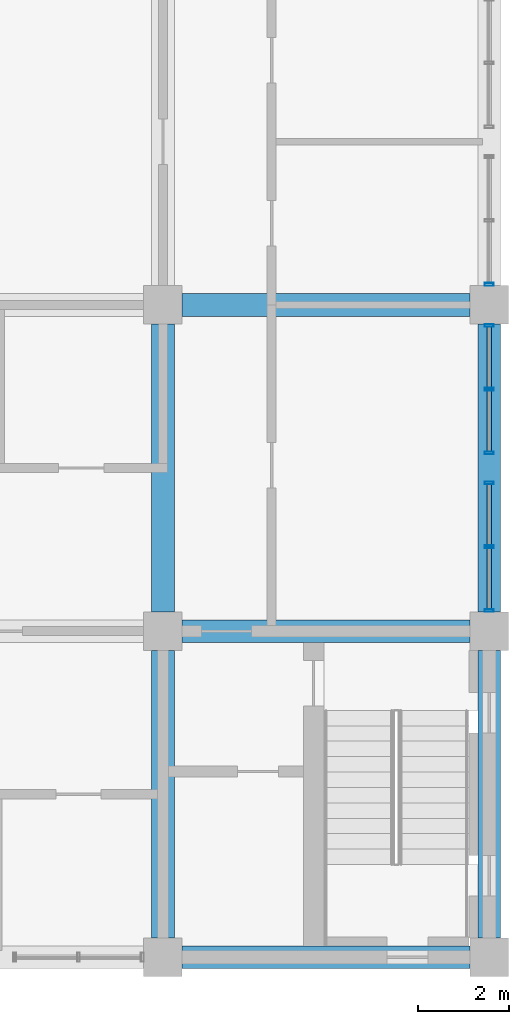
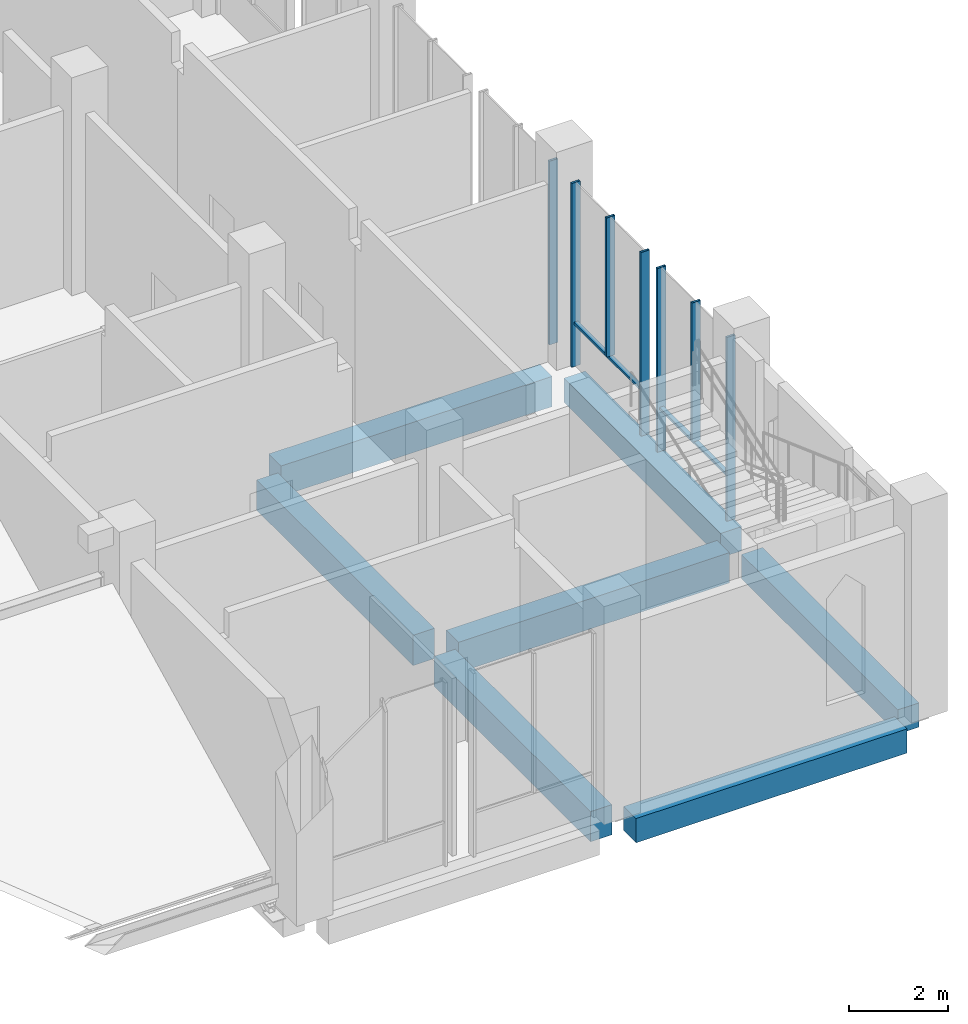
# One storey, part 46 of 83: 9 members, 7 beams, 3 elements without a shape of their own.
"""IFC4 building model written with IfcOpenShell, lengths in metres."""

from ifc_helpers import new_model, si_unit, direction, frame, origin, origin_2d, place, context, subcontext, project, spatial, rectangle, hollow_rectangle, extrude, material, material_profile, profile_set, type_object, element, aggregate, save


model = new_model("IFC4")

# Units and contexts
model_context = context("Model", 3, precision=1e-05, world=origin(), true_north=direction((0.0, 1.0)))
body_context = subcontext(model_context, "Body", "Model", "MODEL_VIEW")
ifc_project = project(units=[si_unit("LENGTHUNIT", "METRE"), si_unit("AREAUNIT", "SQUARE_METRE"), si_unit("VOLUMEUNIT", "CUBIC_METRE"), si_unit("PLANEANGLEUNIT", "RADIAN"), si_unit("MASSUNIT", "GRAM", prefix="KILO")], contexts=[model_context])

# Site, building, storey
site_placement = place(None, origin())
site = spatial("IfcSite", under=ifc_project, at=site_placement, CompositionType="ELEMENT")
building_placement = place(site_placement, origin())
building = spatial("IfcBuilding", under=site, at=building_placement, Name="Silangan Lancet Faculty of Sciences", CompositionType="ELEMENT")
storey_placement = place(building_placement, frame((0.0, 0.0, 11.39990234375)))
storey = spatial("IfcBuildingStorey", under=building, at=storey_placement, Name="L02", CompositionType="ELEMENT", Elevation=11.39990234375)

# Beams
ifc_material_1 = material(Name="Concrete C40/50", Category="concrete")
ifc_material_profile_1 = material_profile(ifc_material_1, rectangle(XDim=0.5, YDim=0.60009765625, at=origin_2d()), Name="RC 500x600")
ifc_profile_set_1 = profile_set([ifc_material_profile_1], Name="Concrete C40/50")
beam_type_1 = type_object("IfcBeamType", Name="BEAM RC 500x600", PredefinedType="BEAM", material=ifc_profile_set_1)
beam_1_placement = place(storey_placement, frame((79.625, 0.0, -0.5498046875), z_axis=(1.0, 0.0, 0.0), x_axis=(0.0, 1.0, 0.0)))
element("IfcBeam", 1, at=beam_1_placement, inside=storey, type_object=beam_type_1, Name="BM-L02-12A-13A", PredefinedType="BEAM", context=body_context, shape_type="SweptSolid", body=[
    extrude(rectangle(XDim=0.5, YDim=0.60009765625, at=origin_2d()), origin(), (0.0, 0.0, 1.0), 6.35009765625),
])
beam_2_placement = place(storey_placement, frame((86.39990234375, 0.425048828125, -0.5498046875), z_axis=(0.0, 1.0, 0.0), x_axis=(-1.0, 0.0, 0.0)))
element("IfcBeam", 2, at=beam_2_placement, inside=storey, type_object=beam_type_1, Name="BM-L02-13A-13B", PredefinedType="BEAM", context=body_context, shape_type="SweptSolid", body=[
    extrude(rectangle(XDim=0.5, YDim=0.60009765625, at=origin_2d()), origin(), (0.0, 0.0, 1.0), 6.349853515625),
])
beam_3_placement = place(storey_placement, frame((86.39990234375, 7.625, -0.5498046875), z_axis=(0.0, 1.0, 0.0), x_axis=(-1.0, 0.0, 0.0)))
element("IfcBeam", 3, at=beam_3_placement, inside=storey, type_object=beam_type_1, Name="BM-L02-13B-13C", PredefinedType="BEAM", context=body_context, shape_type="SweptSolid", body=[
    extrude(rectangle(XDim=0.5, YDim=0.60009765625, at=origin_2d()), origin(), (0.0, 0.0, 1.0), 6.35009765625),
])
ifc_material_2 = material(Name="Concrete C40/50", Category="concrete")
ifc_material_profile_2 = material_profile(ifc_material_2, rectangle(XDim=0.5, YDim=0.75, at=origin_2d()), Name="RC 500x750")
ifc_profile_set_2 = profile_set([ifc_material_profile_2], Name="Concrete C40/50")
beam_type_2 = type_object("IfcBeamType", Name="BEAM RC 500x750", PredefinedType="BEAM", material=ifc_profile_set_2)
for number, where, z_axis, x_axis, name in (
    (4, (79.625, 7.199951171875, -0.625), (1.0, 0.0, 0.0), (0.0, 1.0, 0.0), "BM-L02-12B-13B"),
    (5, (79.625, 14.39990234375, -0.625), (1.0, 0.0, 0.0), (0.0, 1.0, 0.0), "BM-L02-12C-13C"),
):
    element("IfcBeam", number, at=place(storey_placement, frame(where, z_axis=z_axis, x_axis=x_axis)), inside=storey, type_object=beam_type_2, Name=name, PredefinedType="BEAM", context=body_context, shape_type="SweptSolid", body=[
        extrude(rectangle(XDim=0.5, YDim=0.75, at=origin_2d()), origin(), (0.0, 0.0, 1.0), 6.35009765625),
    ])
beam_4_placement = place(storey_placement, frame((79.199951171875, 0.425048828125, -0.625), z_axis=(0.0, 1.0, 0.0), x_axis=(-1.0, 0.0, 0.0)))
element("IfcBeam", 6, at=beam_4_placement, inside=storey, type_object=beam_type_2, Name="BM-L02-12A-12B", PredefinedType="BEAM", context=body_context, shape_type="SweptSolid", body=[
    extrude(rectangle(XDim=0.5, YDim=0.75, at=origin_2d()), origin(), (0.0, 0.0, 1.0), 6.349853515625),
])
beam_5_placement = place(storey_placement, frame((79.199951171875, 7.625, -0.625), z_axis=(0.0, 1.0, 0.0), x_axis=(-1.0, 0.0, 0.0)))
element("IfcBeam", 7, at=beam_5_placement, inside=storey, type_object=beam_type_2, Name="BM-L02-12B-12C", PredefinedType="BEAM", context=body_context, shape_type="SweptSolid", body=[
    extrude(rectangle(XDim=0.5, YDim=0.75, at=origin_2d()), origin(), (0.0, 0.0, 1.0), 6.35009765625),
])

# Curtain wall, members
ifc_material_3 = material(Name="Aluminium framed curtain wall with insulated glass", Category="aluminium")
curtain_wall_type = type_object("IfcCurtainWallType", Name="CW1 Commons and east block glazing", PredefinedType="NOTDEFINED", material=ifc_material_3)
curtain_wall_1_placement = place(storey_placement, origin())
curtain_wall_1 = element("IfcCurtainWall", 8, at=curtain_wall_1_placement, inside=storey, type_object=curtain_wall_type, Name="CW1 East commons L02 bay 1", PredefinedType="NOTDEFINED")
ifc_material_4 = material(Name="Aluminium 6063-T6 extrusion", Category="aluminium")
ifc_material_profile_3 = material_profile(ifc_material_4, hollow_rectangle(XDim=0.06005859375, YDim=0.199951171875, WallThickness=0.00390625, at=origin_2d()), Name="AL BOX 60x200x4")
ifc_profile_set_3 = profile_set([ifc_material_profile_3], Name="Aluminium 6063-T6 extrusion")
member_type_1 = type_object("IfcMemberType", Name="CM1 Mullion 60x200", PredefinedType="MULLION", material=ifc_profile_set_3)
member_1_placement = place(storey_placement, frame((86.39990234375, 7.655029296875, 0.0), z_axis=(0.0, 0.0, 1.0), x_axis=(0.0, 1.0, 0.0)))
member_1 = element("IfcMember", 9, at=member_1_placement, type_object=member_type_1, Name="CW1 East commons L02 bay 1 mullion 1", PredefinedType="MULLION", context=body_context, shape_type="SweptSolid", body=[
    extrude(hollow_rectangle(XDim=0.06005859375, YDim=0.199951171875, WallThickness=0.00390625, at=origin_2d()), origin(), (0.0, 0.0, 1.0), 4.550048828125),
])
member_2_placement = place(storey_placement, frame((86.39990234375, 10.469970703125, 0.0), z_axis=(0.0, 0.0, 1.0), x_axis=(0.0, 1.0, 0.0)))
member_2 = element("IfcMember", 10, at=member_2_placement, type_object=member_type_1, Name="CW1 East commons L02 bay 1 mullion 2", PredefinedType="MULLION", context=body_context, shape_type="SweptSolid", body=[
    extrude(hollow_rectangle(XDim=0.06005859375, YDim=0.199951171875, WallThickness=0.00390625, at=origin_2d()), origin(), (0.0, 0.0, 1.0), 4.550048828125),
])
member_3_placement = place(storey_placement, frame((86.39990234375, 9.0625, 1.10009765625), z_axis=(0.0, 0.0, 1.0), x_axis=(0.0, 1.0, 0.0)))
member_3 = element("IfcMember", 11, at=member_3_placement, type_object=member_type_1, Name="CW1 East commons L02 bay 1 mullion 3", PredefinedType="MULLION", context=body_context, shape_type="SweptSolid", body=[
    extrude(hollow_rectangle(XDim=0.06005859375, YDim=0.199951171875, WallThickness=0.00390625, at=origin_2d()), origin(), (0.0, 0.0, 1.0), 3.449951171875),
])

curtain_wall_2_placement = place(storey_placement, origin())
curtain_wall_2 = element("IfcCurtainWall", 12, at=curtain_wall_2_placement, inside=storey, type_object=curtain_wall_type, Name="CW1 East commons L02 bay 2", PredefinedType="NOTDEFINED")
member_4_placement = place(storey_placement, frame((86.39990234375, 11.1298828125, 0.0), z_axis=(0.0, 0.0, 1.0), x_axis=(0.0, 1.0, 0.0)))
member_4 = element("IfcMember", 13, at=member_4_placement, type_object=member_type_1, Name="CW1 East commons L02 bay 2 mullion 1", PredefinedType="MULLION", context=body_context, shape_type="SweptSolid", body=[
    extrude(hollow_rectangle(XDim=0.06005859375, YDim=0.199951171875, WallThickness=0.00390625, at=origin_2d()), origin(), (0.0, 0.0, 1.0), 4.550048828125),
])
member_5_placement = place(storey_placement, frame((86.39990234375, 13.945068359375, 0.0), z_axis=(0.0, 0.0, 1.0), x_axis=(0.0, 1.0, 0.0)))
member_5 = element("IfcMember", 14, at=member_5_placement, type_object=member_type_1, Name="CW1 East commons L02 bay 2 mullion 2", PredefinedType="MULLION", context=body_context, shape_type="SweptSolid", body=[
    extrude(hollow_rectangle(XDim=0.06005859375, YDim=0.199951171875, WallThickness=0.00390625, at=origin_2d()), origin(), (0.0, 0.0, 1.0), 4.550048828125),
])
member_6_placement = place(storey_placement, frame((86.39990234375, 12.53759765625, 1.10009765625), z_axis=(0.0, 0.0, 1.0), x_axis=(0.0, 1.0, 0.0)))
member_6 = element("IfcMember", 15, at=member_6_placement, type_object=member_type_1, Name="CW1 East commons L02 bay 2 mullion 3", PredefinedType="MULLION", context=body_context, shape_type="SweptSolid", body=[
    extrude(hollow_rectangle(XDim=0.06005859375, YDim=0.199951171875, WallThickness=0.00390625, at=origin_2d()), origin(), (0.0, 0.0, 1.0), 3.449951171875),
])

# Curtain wall, member
curtain_wall_3_placement = place(storey_placement, origin())
curtain_wall_3 = element("IfcCurtainWall", 16, at=curtain_wall_3_placement, inside=storey, type_object=curtain_wall_type, Name="CW1 East commons L02 bay 3", PredefinedType="NOTDEFINED")
member_7_placement = place(storey_placement, frame((86.39990234375, 14.85498046875, 0.0), z_axis=(0.0, 0.0, 1.0), x_axis=(0.0, 1.0, 0.0)))
member_7 = element("IfcMember", 17, at=member_7_placement, type_object=member_type_1, Name="CW1 East commons L02 bay 3 mullion 1", PredefinedType="MULLION", context=body_context, shape_type="SweptSolid", body=[
    extrude(hollow_rectangle(XDim=0.06005859375, YDim=0.199951171875, WallThickness=0.00390625, at=origin_2d()), origin(), (0.0, 0.0, 1.0), 4.550048828125),
])
aggregate(curtain_wall_3, [member_7])

# Member
ifc_material_5 = material(Name="Aluminium 6063-T6 extrusion", Category="aluminium")
ifc_material_profile_4 = material_profile(ifc_material_5, hollow_rectangle(XDim=0.10009765625, YDim=0.06005859375, WallThickness=0.0029296875, at=origin_2d()), Name="AL BOX 100x60x3")
ifc_profile_set_4 = profile_set([ifc_material_profile_4], Name="Aluminium 6063-T6 extrusion")
member_type_2 = type_object("IfcMemberType", Name="CT1 Transom 100x60", PredefinedType="USERDEFINED", material=ifc_profile_set_4)
member_8_placement = place(storey_placement, frame((86.39990234375, 7.68505859375, 1.070068359375), z_axis=(0.0, 1.0, 0.0), x_axis=(-1.0, 0.0, 0.0)))
member_8 = element("IfcMember", 18, at=member_8_placement, type_object=member_type_2, Name="CW1 East commons L02 bay 1 transom 1", ObjectType="TRANSOM", PredefinedType="USERDEFINED", context=body_context, shape_type="SweptSolid", body=[
    extrude(hollow_rectangle(XDim=0.10009765625, YDim=0.06005859375, WallThickness=0.0029296875, at=origin_2d()), origin(), (0.0, 0.0, 1.0), 2.7548828125),
])

aggregate(curtain_wall_1, [member_1, member_2, member_3, member_8])

member_9_placement = place(storey_placement, frame((86.39990234375, 11.159912109375, 1.070068359375), z_axis=(0.0, 1.0, 0.0), x_axis=(-1.0, 0.0, 0.0)))
member_9 = element("IfcMember", 19, at=member_9_placement, type_object=member_type_2, Name="CW1 East commons L02 bay 2 transom 1", ObjectType="TRANSOM", PredefinedType="USERDEFINED", context=body_context, shape_type="SweptSolid", body=[
    extrude(hollow_rectangle(XDim=0.10009765625, YDim=0.06005859375, WallThickness=0.0029296875, at=origin_2d()), origin(), (0.0, 0.0, 1.0), 2.755126953125),
])

aggregate(curtain_wall_2, [member_4, member_5, member_6, member_9])

save(model, "model.ifc")
